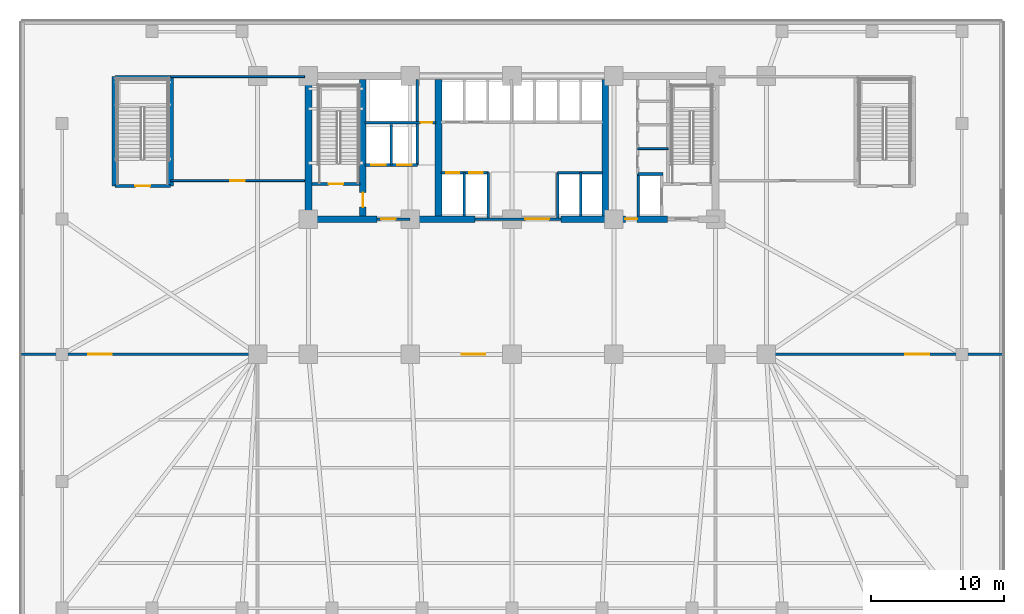
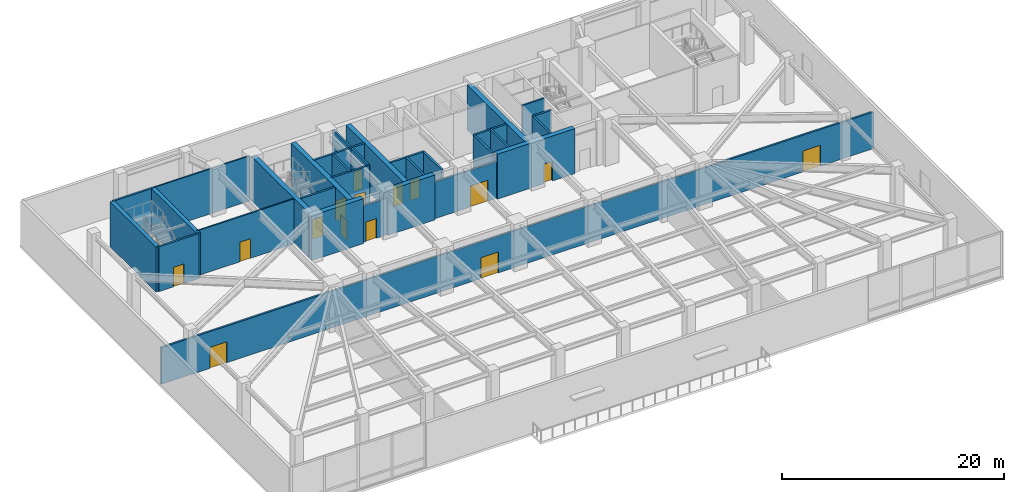
# One storey, part 8 of 15: 30 walls, 15 doors, 15 openings.
"""IFC4 building model written with IfcOpenShell, lengths in metres."""

from ifc_helpers import new_model, si_unit, direction, frame, frame_2d, origin, place, context, subcontext, project, spatial, rectangle, extrude, material, layer, layer_set, type_object, element, fill, save


model = new_model("IFC4")

# Units and contexts
model_context = context("Model", 3, precision=1e-05, world=origin(), true_north=direction((0.0, 1.0)))
body_context = subcontext(model_context, "Body", "Model", "MODEL_VIEW")
ifc_project = project(units=[si_unit("LENGTHUNIT", "METRE"), si_unit("AREAUNIT", "SQUARE_METRE"), si_unit("VOLUMEUNIT", "CUBIC_METRE"), si_unit("PLANEANGLEUNIT", "RADIAN"), si_unit("MASSUNIT", "GRAM", prefix="KILO")], contexts=[model_context])

# Site, building, storey
site_placement = place(None, origin())
site = spatial("IfcSite", under=ifc_project, at=site_placement, CompositionType="ELEMENT")
building_placement = place(site_placement, origin())
building = spatial("IfcBuilding", under=site, at=building_placement, Name="Yelkora Congress Tower", CompositionType="ELEMENT")
storey_placement = place(building_placement, frame((0.0, 0.0, 10.39990234375)))
storey = spatial("IfcBuildingStorey", under=building, at=storey_placement, Name="L02", CompositionType="ELEMENT", Elevation=10.39990234375)

# Walls
ifc_material_1 = material(Name="Concrete C50/60", Category="concrete")
ifc_layer_1 = layer(ifc_material_1, 0.39990234375)
ifc_layer_set_1 = layer_set([ifc_layer_1], Name="Concrete C50/60")
wall_type_1 = type_object("IfcWallType", Name="WALL-CORE-INT-400", PredefinedType="SHEAR", material=ifc_layer_set_1)
for number, where, z_axis, x_axis, name in (
    (1, (8.39990234375, 37.89990234375, 0.0), (0.0, 0.0, 1.0), (0.0, 1.0, 0.0), "L02 STP1 West Shear Wall"),
    (2, (12.659912109375, 37.89990234375, 0.0), (0.0, 0.0, 1.0), (0.0, 1.0, 0.0), "L02 STP1 East Shear Wall"),
):
    element("IfcWall", number, at=place(storey_placement, frame(where, z_axis=z_axis, x_axis=x_axis)), inside=storey, type_object=wall_type_1, Name=name, PredefinedType="SHEAR", context=body_context, shape_type="SweptSolid", body=[
        extrude(rectangle(XDim=8.25, YDim=0.39990234375, at=frame_2d((4.125, 0.0))), origin(), (0.0, 0.0, 1.0), 4.940185546875),
    ])
ifc_material_2 = material(Name="Concrete C60/75", Category="concrete")
ifc_layer_2 = layer(ifc_material_2, 0.5)
ifc_layer_set_2 = layer_set([ifc_layer_2], Name="Concrete C60/75")
wall_type_2 = type_object("IfcWallType", Name="WALL-CORE-INT-500", PredefinedType="SHEAR", material=ifc_layer_set_2)
wall_1_placement = place(storey_placement, frame((22.7900390625, 35.39990234375, 0.0), z_axis=(0.0, 0.0, 1.0), x_axis=(1.0, 0.0, 0.0)))
element("IfcWall", 3, at=wall_1_placement, inside=storey, type_object=wall_type_2, Name="L02 Rear Core South-West Shear Wall", PredefinedType="SHEAR", context=body_context, shape_type="SweptSolid", body=[
    extrude(rectangle(XDim=5.409912109375, YDim=0.5, at=frame_2d((2.705078125, 0.0))), origin(), (0.0, 0.0, 1.0), 4.940185546875),
])
wall_2_placement = place(storey_placement, frame((30.719970703125, 35.39990234375, 0.0), z_axis=(0.0, 0.0, 1.0), x_axis=(1.0, 0.0, 0.0)))
element("IfcWall", 4, at=wall_2_placement, inside=storey, type_object=wall_type_2, Name="L02 Rear Core South-Center Shear Pier", PredefinedType="SHEAR", context=body_context, shape_type="SweptSolid", body=[
    extrude(rectangle(XDim=4.880126953125, YDim=0.5, at=frame_2d((2.43994140625, 0.0))), origin(), (0.0, 0.0, 1.0), 4.940185546875),
])

# Wall, opening, door
wall_3_placement = place(storey_placement, frame((42.10009765625, 35.39990234375, 0.0), z_axis=(0.0, 0.0, 1.0), x_axis=(1.0, 0.0, 0.0)))
wall_3 = element("IfcWall", 5, at=wall_3_placement, inside=storey, type_object=wall_type_2, Name="L02 Rear Core South-East Shear Wall A", PredefinedType="SHEAR", context=body_context, shape_type="SweptSolid", body=[
    extrude(rectangle(XDim=8.0498046875, YDim=0.5, at=frame_2d((4.02490234375, 0.0))), origin(), (0.0, 0.0, 1.0), 4.940185546875),
])
opening_1_placement = place(wall_3_placement, frame((4.85009765625, 0.0, 0.0)))
opening_1 = element("IfcOpeningElement", 6, at=opening_1_placement, cuts=wall_3, Name="Opening DR-090F6", PredefinedType="OPENING", context=body_context, shape_type="SweptSolid", body=[
    extrude(rectangle(XDim=0.89990234375, YDim=2.14990234375, at=frame_2d((0.449951171875, 1.074951171875))), frame((0.0, 0.260009765625, 0.0), z_axis=(0.0, -1.0, 0.0), x_axis=(1.0, 0.0, 0.0)), (0.0, 0.0, 1.0), 0.52001953125),
])
ifc_material_3 = material(Name="Painted steel riser fire door leaf", Category="steel")
door_type_1 = type_object("IfcDoorType", Name="DOOR-FD60-900", OperationType="NOTDEFINED", PredefinedType="DOOR", material=ifc_material_3)
door_1_placement = place(opening_1_placement, origin())
door_1 = element("IfcDoor", 7, at=door_1_placement, inside=storey, type_object=door_type_1, Name="L02 Core Washroom Lobby Door", OperationType="SINGLE_SWING_RIGHT", OverallHeight=2.14990234375, OverallWidth=0.89990234375, PredefinedType="DOOR", context=body_context, shape_type="SweptSolid", body=[
    extrude(rectangle(XDim=0.89990234375, YDim=2.14990234375, at=frame_2d((0.449951171875, 1.074951171875))), frame((0.0, 0.02490234375, 0.0), z_axis=(0.0, -1.0, 0.0), x_axis=(1.0, 0.0, 0.0)), (0.0, 0.0, 1.0), 0.050048828125),
])
fill(opening_1, door_1)

# Wall
wall_4_placement = place(storey_placement, frame((23.0400390625, 35.64990234375, 0.0), z_axis=(0.0, 0.0, 1.0), x_axis=(0.0, 1.0, 0.0)))
element("IfcWall", 8, at=wall_4_placement, inside=storey, type_object=wall_type_2, Name="L02 Rear Core Cross Shear Wall W", PredefinedType="SHEAR", context=body_context, shape_type="SweptSolid", body=[
    extrude(rectangle(XDim=10.300048828125, YDim=0.5, at=frame_2d((5.14990234375, 0.0))), origin(), (0.0, 0.0, 1.0), 4.940185546875),
])

# Wall, opening, door
wall_5_placement = place(storey_placement, frame((27.14990234375, 35.64990234375, 0.0), z_axis=(0.0, 0.0, 1.0), x_axis=(0.0, 1.0, 0.0)))
wall_5 = element("IfcWall", 9, at=wall_5_placement, inside=storey, type_object=wall_type_2, Name="L02 Rear Core Cross Shear Wall C1", PredefinedType="SHEAR", context=body_context, shape_type="SweptSolid", body=[
    extrude(rectangle(XDim=10.300048828125, YDim=0.5, at=frame_2d((5.14990234375, 0.0))), origin(), (0.0, 0.0, 1.0), 4.940185546875),
])
opening_2_placement = place(wall_5_placement, frame((0.64990234375, 0.0, 0.0)))
opening_2 = element("IfcOpeningElement", 10, at=opening_2_placement, cuts=wall_5, Name="Opening DR-110F9", PredefinedType="OPENING", context=body_context, shape_type="SweptSolid", body=[
    extrude(rectangle(XDim=1.10009765625, YDim=2.14990234375, at=frame_2d((0.550048828125, 1.074951171875))), frame((0.0, 0.260009765625, 0.0), z_axis=(0.0, -1.0, 0.0), x_axis=(1.0, 0.0, 0.0)), (0.0, 0.0, 1.0), 0.52001953125),
])
ifc_material_4 = material(Name="Galvanised steel fire door leaf", Category="steel")
door_type_2 = type_object("IfcDoorType", Name="DOOR-FD90-1100", OperationType="NOTDEFINED", PredefinedType="DOOR", material=ifc_material_4)
door_2_placement = place(opening_2_placement, origin())
door_2 = element("IfcDoor", 11, at=door_2_placement, inside=storey, type_object=door_type_2, Name="L02 Firefighting Stair Transfer Door", OperationType="SINGLE_SWING_LEFT", OverallHeight=2.14990234375, OverallWidth=1.10009765625, PredefinedType="DOOR", context=body_context, shape_type="SweptSolid", body=[
    extrude(rectangle(XDim=1.10009765625, YDim=2.14990234375, at=frame_2d((0.550048828125, 1.074951171875))), frame((0.0, 0.02490234375, 0.0), z_axis=(0.0, -1.0, 0.0), x_axis=(1.0, 0.0, 0.0)), (0.0, 0.0, 1.0), 0.050048828125),
])
fill(opening_2, door_2)

# Walls
for number, where, z_axis, x_axis, name in (
    (12, (32.85009765625, 35.64990234375, 0.0), (0.0, 0.0, 1.0), (0.0, 1.0, 0.0), "L02 Rear Core Cross Shear Wall C2"),
    (13, (45.449951171875, 35.64990234375, 0.0), (0.0, 0.0, 1.0), (0.0, 1.0, 0.0), "L02 Rear Core Cross Shear Wall C3"),
):
    element("IfcWall", number, at=place(storey_placement, frame(where, z_axis=z_axis, x_axis=x_axis)), inside=storey, type_object=wall_type_2, Name=name, PredefinedType="SHEAR", context=body_context, shape_type="SweptSolid", body=[
        extrude(rectangle(XDim=10.300048828125, YDim=0.5, at=frame_2d((5.14990234375, 0.0))), origin(), (0.0, 0.0, 1.0), 4.940185546875),
    ])
ifc_material_5 = material(Name="Acoustic metal-stud gypsum partition", Category="gypsum")
ifc_layer_3 = layer(ifc_material_5, 0.14990234375)
ifc_layer_set_3 = layer_set([ifc_layer_3], Name="Acoustic metal-stud gypsum partition")
wall_type_3 = type_object("IfcWallType", Name="WALL-INT-150-NR", PredefinedType="PARTITIONING", material=ifc_layer_set_3)
wall_6_placement = place(storey_placement, frame((47.8798828125, 40.719970703125, 0.0), z_axis=(0.0, 0.0, 1.0), x_axis=(1.0, 0.0, 0.0)))
element("IfcWall", 14, at=wall_6_placement, inside=storey, type_object=wall_type_3, Name="L02 Partition Wall 28", PredefinedType="PARTITIONING", context=body_context, shape_type="SweptSolid", body=[
    extrude(rectangle(XDim=2.300048828125, YDim=0.14990234375, at=frame_2d((1.14990234375, 0.0))), origin(), (0.0, 0.0, 1.0), 4.940185546875),
])

# Wall, opening, door
wall_7_placement = place(storey_placement, frame((12.64990234375, 38.300048828125, 0.0), z_axis=(0.0, 0.0, 1.0), x_axis=(1.0, 0.0, 0.0)))
wall_7 = element("IfcWall", 15, at=wall_7_placement, inside=storey, type_object=wall_type_3, Name="L02 Partition Wall 36", PredefinedType="PARTITIONING", context=body_context, shape_type="SweptSolid", body=[
    extrude(rectangle(XDim=10.10009765625, YDim=0.14990234375, at=frame_2d((5.050048828125, 0.0))), origin(), (0.0, 0.0, 1.0), 4.940185546875),
])
opening_3_placement = place(wall_7_placement, frame((4.5, 0.0, 0.0)))
opening_3 = element("IfcOpeningElement", 16, at=opening_3_placement, cuts=wall_7, Name="Opening DR-110N", PredefinedType="OPENING", context=body_context, shape_type="SweptSolid", body=[
    extrude(rectangle(XDim=1.10009765625, YDim=2.14990234375, at=frame_2d((0.550048828125, 1.074951171875))), frame((0.0, 0.0849609375, 0.0), z_axis=(0.0, -1.0, 0.0), x_axis=(1.0, 0.0, 0.0)), (0.0, 0.0, 1.0), 0.169921875),
])
ifc_material_6 = material(Name="Solid-core Anatolian oak veneer door", Category="wood")
door_type_3 = type_object("IfcDoorType", Name="DOOR-INT-1100", OperationType="NOTDEFINED", PredefinedType="DOOR", material=ifc_material_6)
door_3_placement = place(opening_3_placement, origin())
door_3 = element("IfcDoor", 17, at=door_3_placement, inside=storey, type_object=door_type_3, Name="L02 Interior Door 20", OperationType="SINGLE_SWING_RIGHT", OverallHeight=2.14990234375, OverallWidth=1.10009765625, PredefinedType="DOOR", context=body_context, shape_type="SweptSolid", body=[
    extrude(rectangle(XDim=1.10009765625, YDim=2.14990234375, at=frame_2d((0.550048828125, 1.074951171875))), frame((0.0, 0.02490234375, 0.0), z_axis=(0.0, -1.0, 0.0), x_axis=(1.0, 0.0, 0.0)), (0.0, 0.0, 1.0), 0.050048828125),
])
fill(opening_3, door_3)

# Wall
wall_8_placement = place(storey_placement, frame((12.64990234375, 46.14990234375, 0.0), z_axis=(0.0, 0.0, 1.0), x_axis=(1.0, 0.0, 0.0)))
element("IfcWall", 18, at=wall_8_placement, inside=storey, type_object=wall_type_3, Name="L02 Partition Wall 37", PredefinedType="PARTITIONING", context=body_context, shape_type="SweptSolid", body=[
    extrude(rectangle(XDim=10.10009765625, YDim=0.14990234375, at=frame_2d((5.050048828125, 0.0))), origin(), (0.0, 0.0, 1.0), 4.940185546875),
])

# Wall, opening, door
ifc_material_7 = material(Name="Autoclaved aerated concrete blockwork", Category="masonry")
ifc_layer_4 = layer(ifc_material_7, 0.199951171875)
ifc_layer_set_4 = layer_set([ifc_layer_4], Name="Autoclaved aerated concrete blockwork")
wall_type_4 = type_object("IfcWallType", Name="WALL-INT-200-R120", PredefinedType="PARTITIONING", material=ifc_layer_set_4)
wall_9_placement = place(storey_placement, frame((23.300048828125, 38.050048828125, 0.0), z_axis=(0.0, 0.0, 1.0), x_axis=(1.0, 0.0, 0.0)))
wall_9 = element("IfcWall", 19, at=wall_9_placement, inside=storey, type_object=wall_type_4, Name="L02 Stair ST-01 Enclosure Wall", PredefinedType="PARTITIONING", context=body_context, shape_type="SweptSolid", body=[
    extrude(rectangle(XDim=3.619873046875, YDim=0.199951171875, at=frame_2d((1.81005859375, 0.0))), origin(), (0.0, 0.0, 1.0), 4.940185546875),
])
opening_4_placement = place(wall_9_placement, frame((1.260009765625, 0.0, 0.0)))
opening_4 = element("IfcOpeningElement", 20, at=opening_4_placement, cuts=wall_9, Name="Opening DR-110F9", PredefinedType="OPENING", context=body_context, shape_type="SweptSolid", body=[
    extrude(rectangle(XDim=1.10009765625, YDim=2.14990234375, at=frame_2d((0.550048828125, 1.074951171875))), frame((0.0, 0.10986328125, 0.0), z_axis=(0.0, -1.0, 0.0), x_axis=(1.0, 0.0, 0.0)), (0.0, 0.0, 1.0), 0.219970703125),
])
door_4_placement = place(opening_4_placement, origin())
door_4 = element("IfcDoor", 21, at=door_4_placement, inside=storey, type_object=door_type_2, Name="L02 Stair ST-01 Entry Door", OperationType="SINGLE_SWING_LEFT", OverallHeight=2.14990234375, OverallWidth=1.10009765625, PredefinedType="DOOR", context=body_context, shape_type="SweptSolid", body=[
    extrude(rectangle(XDim=1.10009765625, YDim=2.14990234375, at=frame_2d((0.550048828125, 1.074951171875))), frame((0.0, 0.02490234375, 0.0), z_axis=(0.0, -1.0, 0.0), x_axis=(1.0, 0.0, 0.0)), (0.0, 0.0, 1.0), 0.050048828125),
])
fill(opening_4, door_4)

wall_10_placement = place(storey_placement, frame((28.219970703125, 35.39990234375, 0.0), z_axis=(0.0, 0.0, 1.0), x_axis=(1.0, 0.0, 0.0)))
wall_10 = element("IfcWall", 22, at=wall_10_placement, inside=storey, type_object=wall_type_4, Name="L02 Firefighting Lobby South Wall", PredefinedType="PARTITIONING", context=body_context, shape_type="SweptSolid", body=[
    extrude(rectangle(XDim=2.5, YDim=0.199951171875, at=frame_2d((1.25, 0.0))), origin(), (0.0, 0.0, 1.0), 4.03515625),
])
opening_5_placement = place(wall_10_placement, frame((0.300048828125, 0.0, 0.0)))
opening_5 = element("IfcOpeningElement", 23, at=opening_5_placement, cuts=wall_10, Name="Opening DR-110F9", PredefinedType="OPENING", context=body_context, shape_type="SweptSolid", body=[
    extrude(rectangle(XDim=1.10009765625, YDim=2.14990234375, at=frame_2d((0.550048828125, 1.074951171875))), frame((0.0, 0.10986328125, 0.0), z_axis=(0.0, -1.0, 0.0), x_axis=(1.0, 0.0, 0.0)), (0.0, 0.0, 1.0), 0.219970703125),
])
door_5_placement = place(opening_5_placement, origin())
door_5 = element("IfcDoor", 24, at=door_5_placement, inside=storey, type_object=door_type_2, Name="L02 Firefighting Lobby Corridor Door", OperationType="SINGLE_SWING_RIGHT", OverallHeight=2.14990234375, OverallWidth=1.10009765625, PredefinedType="DOOR", context=body_context, shape_type="SweptSolid", body=[
    extrude(rectangle(XDim=1.10009765625, YDim=2.14990234375, at=frame_2d((0.550048828125, 1.074951171875))), frame((0.0, 0.02490234375, 0.0), z_axis=(0.0, -1.0, 0.0), x_axis=(1.0, 0.0, 0.0)), (0.0, 0.0, 1.0), 0.050048828125),
])
fill(opening_5, door_5)

# Wall, openings, doors
wall_11_placement = place(storey_placement, frame((27.320068359375, 39.47998046875, 0.0), z_axis=(0.0, 0.0, 1.0), x_axis=(1.0, 0.0, 0.0)))
wall_11 = element("IfcWall", 25, at=wall_11_placement, inside=storey, type_object=wall_type_4, Name="L02 Firefighting Lift Front Wall", PredefinedType="PARTITIONING", context=body_context, shape_type="SweptSolid", body=[
    extrude(rectangle(XDim=3.93994140625, YDim=0.199951171875, at=frame_2d((1.969970703125, 0.0))), origin(), (0.0, 0.0, 1.0), 4.940185546875),
])
opening_6_placement = place(wall_11_placement, frame((0.449951171875, 0.0, 0.0)))
opening_6 = element("IfcOpeningElement", 26, at=opening_6_placement, cuts=wall_11, Name="Opening LD-FF11", PredefinedType="OPENING", context=body_context, shape_type="SweptSolid", body=[
    extrude(rectangle(XDim=1.10009765625, YDim=2.199951171875, at=frame_2d((0.550048828125, 1.10009765625))), frame((0.0, 0.10986328125, 0.0), z_axis=(0.0, -1.0, 0.0), x_axis=(1.0, 0.0, 0.0)), (0.0, 0.0, 1.0), 0.219970703125),
])
opening_7_placement = place(wall_11_placement, frame((2.409912109375, 0.0, 0.0)))
opening_7 = element("IfcOpeningElement", 27, at=opening_7_placement, cuts=wall_11, Name="Opening LD-FF11", PredefinedType="OPENING", context=body_context, shape_type="SweptSolid", body=[
    extrude(rectangle(XDim=1.10009765625, YDim=2.199951171875, at=frame_2d((0.550048828125, 1.10009765625))), frame((0.0, 0.10986328125, 0.0), z_axis=(0.0, -1.0, 0.0), x_axis=(1.0, 0.0, 0.0)), (0.0, 0.0, 1.0), 0.219970703125),
])
ifc_material_8 = material(Name="Brushed stainless steel 316L landing door", Category="steel")
door_type_4 = type_object("IfcDoorType", Name="DOOR-LIFT-FF-1100", OperationType="DOUBLE_DOOR_SLIDING", PredefinedType="DOOR", material=ifc_material_8)
door_6_placement = place(opening_6_placement, origin())
door_6 = element("IfcDoor", 28, at=door_6_placement, inside=storey, type_object=door_type_4, Name="Lift Landing Door LF-FF1 L02", OperationType="DOUBLE_DOOR_SLIDING", OverallHeight=2.199951171875, OverallWidth=1.10009765625, PredefinedType="DOOR", context=body_context, shape_type="SweptSolid", body=[
    extrude(rectangle(XDim=1.10009765625, YDim=2.199951171875, at=frame_2d((0.550048828125, 1.10009765625))), frame((0.0, 0.02490234375, 0.0), z_axis=(0.0, -1.0, 0.0), x_axis=(1.0, 0.0, 0.0)), (0.0, 0.0, 1.0), 0.050048828125),
])
fill(opening_6, door_6)
door_7_placement = place(opening_7_placement, origin())
door_7 = element("IfcDoor", 29, at=door_7_placement, inside=storey, type_object=door_type_4, Name="Lift Landing Door LF-FF2 L02", OperationType="DOUBLE_DOOR_SLIDING", OverallHeight=2.199951171875, OverallWidth=1.10009765625, PredefinedType="DOOR", context=body_context, shape_type="SweptSolid", body=[
    extrude(rectangle(XDim=1.10009765625, YDim=2.199951171875, at=frame_2d((0.550048828125, 1.10009765625))), frame((0.0, 0.02490234375, 0.0), z_axis=(0.0, -1.0, 0.0), x_axis=(1.0, 0.0, 0.0)), (0.0, 0.0, 1.0), 0.050048828125),
])
fill(opening_7, door_7)

# Walls
wall_12_placement = place(storey_placement, frame((29.300048828125, 39.47998046875, 0.0), z_axis=(0.0, 0.0, 1.0), x_axis=(0.0, 1.0, 0.0)))
element("IfcWall", 30, at=wall_12_placement, inside=storey, type_object=wall_type_4, Name="L02 Partition Wall 4", PredefinedType="PARTITIONING", context=body_context, shape_type="SweptSolid", body=[
    extrude(rectangle(XDim=3.070068359375, YDim=0.199951171875, at=frame_2d((1.53515625, 0.0))), origin(), (0.0, 0.0, 1.0), 4.940185546875),
])
wall_13_placement = place(storey_placement, frame((31.260009765625, 39.47998046875, 0.0), z_axis=(0.0, 0.0, 1.0), x_axis=(0.0, 1.0, 0.0)))
element("IfcWall", 31, at=wall_13_placement, inside=storey, type_object=wall_type_4, Name="L02 Partition Wall 5", PredefinedType="PARTITIONING", context=body_context, shape_type="SweptSolid", body=[
    extrude(rectangle(XDim=6.43994140625, YDim=0.199951171875, at=frame_2d((3.219970703125, 0.0))), origin(), (0.0, 0.0, 1.0), 4.940185546875),
])

# Wall, opening, door
wall_14_placement = place(storey_placement, frame((27.320068359375, 42.679931640625, 0.0), z_axis=(0.0, 0.0, 1.0), x_axis=(1.0, 0.0, 0.0)))
wall_14 = element("IfcWall", 32, at=wall_14_placement, inside=storey, type_object=wall_type_4, Name="L02 Smoke Riser South Wall", PredefinedType="PARTITIONING", context=body_context, shape_type="SweptSolid", body=[
    extrude(rectangle(XDim=5.329833984375, YDim=0.199951171875, at=frame_2d((2.6650390625, 0.0))), origin(), (0.0, 0.0, 1.0), 4.940185546875),
])
opening_8_placement = place(wall_14_placement, frame((4.179931640625, 0.0, 0.0)))
opening_8 = element("IfcOpeningElement", 33, at=opening_8_placement, cuts=wall_14, Name="Opening DR-090F6", PredefinedType="OPENING", context=body_context, shape_type="SweptSolid", body=[
    extrude(rectangle(XDim=0.89990234375, YDim=2.14990234375, at=frame_2d((0.449951171875, 1.074951171875))), frame((0.0, 0.10986328125, 0.0), z_axis=(0.0, -1.0, 0.0), x_axis=(1.0, 0.0, 0.0)), (0.0, 0.0, 1.0), 0.219970703125),
])
door_8_placement = place(opening_8_placement, origin())
door_8 = element("IfcDoor", 34, at=door_8_placement, inside=storey, type_object=door_type_1, Name="L02 Riser Access Door", OperationType="SINGLE_SWING_LEFT", OverallHeight=2.14990234375, OverallWidth=0.89990234375, PredefinedType="DOOR", context=body_context, shape_type="SweptSolid", body=[
    extrude(rectangle(XDim=0.89990234375, YDim=2.14990234375, at=frame_2d((0.449951171875, 1.074951171875))), frame((0.0, 0.02490234375, 0.0), z_axis=(0.0, -1.0, 0.0), x_axis=(1.0, 0.0, 0.0)), (0.0, 0.0, 1.0), 0.050048828125),
])
fill(opening_8, door_8)

wall_15_placement = place(storey_placement, frame((35.60009765625, 35.39990234375, 0.0), z_axis=(0.0, 0.0, 1.0), x_axis=(1.0, 0.0, 0.0)))
wall_15 = element("IfcWall", 35, at=wall_15_placement, inside=storey, type_object=wall_type_4, Name="L02 Main Lift Lobby South Portal Wall", PredefinedType="PARTITIONING", context=body_context, shape_type="SweptSolid", body=[
    extrude(rectangle(XDim=6.5, YDim=0.199951171875, at=frame_2d((3.25, 0.0))), origin(), (0.0, 0.0, 1.0), 4.03515625),
])
opening_9_placement = place(wall_15_placement, frame((3.800048828125, 0.0, 0.0)))
opening_9 = element("IfcOpeningElement", 36, at=opening_9_placement, cuts=wall_15, Name="Opening DR-180D", PredefinedType="OPENING", context=body_context, shape_type="SweptSolid", body=[
    extrude(rectangle(XDim=1.800048828125, YDim=2.300048828125, at=frame_2d((0.89990234375, 1.14990234375))), frame((0.0, 0.10986328125, 0.0), z_axis=(0.0, -1.0, 0.0), x_axis=(1.0, 0.0, 0.0)), (0.0, 0.0, 1.0), 0.219970703125),
])
ifc_material_9 = material(Name="Acoustic double congress hall doors", Category="wood")
door_type_5 = type_object("IfcDoorType", Name="DOOR-DBL-1800", OperationType="DOUBLE_DOOR_SINGLE_SWING", PredefinedType="DOOR", material=ifc_material_9)
door_9_placement = place(opening_9_placement, origin())
door_9 = element("IfcDoor", 37, at=door_9_placement, inside=storey, type_object=door_type_5, Name="L02 Main Lift Lobby Portal Door", OperationType="DOUBLE_DOOR_SINGLE_SWING", OverallHeight=2.300048828125, OverallWidth=1.800048828125, PredefinedType="DOOR", context=body_context, shape_type="SweptSolid", body=[
    extrude(rectangle(XDim=1.800048828125, YDim=2.300048828125, at=frame_2d((0.89990234375, 1.14990234375))), frame((0.0, 0.02490234375, 0.0), z_axis=(0.0, -1.0, 0.0), x_axis=(1.0, 0.0, 0.0)), (0.0, 0.0, 1.0), 0.050048828125),
])
fill(opening_9, door_9)

# Wall, openings, doors
wall_16_placement = place(storey_placement, frame((33.050048828125, 38.89990234375, 0.0), z_axis=(0.0, 0.0, 1.0), x_axis=(1.0, 0.0, 0.0)))
wall_16 = element("IfcWall", 38, at=wall_16_placement, inside=storey, type_object=wall_type_4, Name="L02 Partition Wall 11", PredefinedType="PARTITIONING", context=body_context, shape_type="SweptSolid", body=[
    extrude(rectangle(XDim=3.570068359375, YDim=0.199951171875, at=frame_2d((1.78515625, 0.0))), origin(), (0.0, 0.0, 1.0), 4.940185546875),
])
opening_10_placement = place(wall_16_placement, frame((0.375, 0.0, 0.0)))
opening_10 = element("IfcOpeningElement", 39, at=opening_10_placement, cuts=wall_16, Name="Opening LD-PS10", PredefinedType="OPENING", context=body_context, shape_type="SweptSolid", body=[
    extrude(rectangle(XDim=1.0, YDim=2.199951171875, at=frame_2d((0.5, 1.10009765625))), frame((0.0, 0.10986328125, 0.0), z_axis=(0.0, -1.0, 0.0), x_axis=(1.0, 0.0, 0.0)), (0.0, 0.0, 1.0), 0.219970703125),
])
opening_11_placement = place(wall_16_placement, frame((2.125, 0.0, 0.0)))
opening_11 = element("IfcOpeningElement", 40, at=opening_11_placement, cuts=wall_16, Name="Opening LD-PS10", PredefinedType="OPENING", context=body_context, shape_type="SweptSolid", body=[
    extrude(rectangle(XDim=1.0, YDim=2.199951171875, at=frame_2d((0.5, 1.10009765625))), frame((0.0, 0.10986328125, 0.0), z_axis=(0.0, -1.0, 0.0), x_axis=(1.0, 0.0, 0.0)), (0.0, 0.0, 1.0), 0.219970703125),
])
ifc_material_10 = material(Name="Champagne stainless steel landing door", Category="steel")
door_type_6 = type_object("IfcDoorType", Name="DOOR-LIFT-PAS-1000", OperationType="DOUBLE_DOOR_SLIDING", PredefinedType="DOOR", material=ifc_material_10)
door_10_placement = place(opening_10_placement, origin())
door_10 = element("IfcDoor", 41, at=door_10_placement, inside=storey, type_object=door_type_6, Name="Lift Landing Door LF-P1 L02", OperationType="DOUBLE_DOOR_SLIDING", OverallHeight=2.199951171875, OverallWidth=1.0, PredefinedType="DOOR", context=body_context, shape_type="SweptSolid", body=[
    extrude(rectangle(XDim=1.0, YDim=2.199951171875, at=frame_2d((0.5, 1.10009765625))), frame((0.0, 0.02490234375, 0.0), z_axis=(0.0, -1.0, 0.0), x_axis=(1.0, 0.0, 0.0)), (0.0, 0.0, 1.0), 0.050048828125),
])
fill(opening_10, door_10)
door_11_placement = place(opening_11_placement, origin())
door_11 = element("IfcDoor", 42, at=door_11_placement, inside=storey, type_object=door_type_6, Name="Lift Landing Door LF-P2 L02", OperationType="DOUBLE_DOOR_SLIDING", OverallHeight=2.199951171875, OverallWidth=1.0, PredefinedType="DOOR", context=body_context, shape_type="SweptSolid", body=[
    extrude(rectangle(XDim=1.0, YDim=2.199951171875, at=frame_2d((0.5, 1.10009765625))), frame((0.0, 0.02490234375, 0.0), z_axis=(0.0, -1.0, 0.0), x_axis=(1.0, 0.0, 0.0)), (0.0, 0.0, 1.0), 0.050048828125),
])
fill(opening_11, door_11)

# Walls
wall_17_placement = place(storey_placement, frame((34.800048828125, 35.64990234375, 0.0), z_axis=(0.0, 0.0, 1.0), x_axis=(0.0, 1.0, 0.0)))
element("IfcWall", 43, at=wall_17_placement, inside=storey, type_object=wall_type_4, Name="L02 Partition Wall 13", PredefinedType="PARTITIONING", context=body_context, shape_type="SweptSolid", body=[
    extrude(rectangle(XDim=3.25, YDim=0.199951171875, at=frame_2d((1.625, 0.0))), origin(), (0.0, 0.0, 1.0), 4.940185546875),
])
wall_18_placement = place(storey_placement, frame((36.6201171875, 35.5, 0.0), z_axis=(0.0, 0.0, 1.0), x_axis=(0.0, 1.0, 0.0)))
element("IfcWall", 44, at=wall_18_placement, inside=storey, type_object=wall_type_4, Name="L02 Partition Wall 15", PredefinedType="PARTITIONING", context=body_context, shape_type="SweptSolid", body=[
    extrude(rectangle(XDim=3.39990234375, YDim=0.199951171875, at=frame_2d((1.699951171875, 0.0))), origin(), (0.0, 0.0, 1.0), 4.940185546875),
])
wall_19_placement = place(storey_placement, frame((41.85009765625, 38.89990234375, 0.0), z_axis=(0.0, 0.0, 1.0), x_axis=(1.0, 0.0, 0.0)))
element("IfcWall", 45, at=wall_19_placement, inside=storey, type_object=wall_type_4, Name="L02 Partition Wall 17", PredefinedType="PARTITIONING", context=body_context, shape_type="SweptSolid", body=[
    extrude(rectangle(XDim=3.369873046875, YDim=0.199951171875, at=frame_2d((1.68505859375, 0.0))), origin(), (0.0, 0.0, 1.0), 4.940185546875),
])
wall_20_placement = place(storey_placement, frame((43.60009765625, 35.64990234375, 0.0), z_axis=(0.0, 0.0, 1.0), x_axis=(0.0, 1.0, 0.0)))
element("IfcWall", 46, at=wall_20_placement, inside=storey, type_object=wall_type_4, Name="L02 Partition Wall 19", PredefinedType="PARTITIONING", context=body_context, shape_type="SweptSolid", body=[
    extrude(rectangle(XDim=3.25, YDim=0.199951171875, at=frame_2d((1.625, 0.0))), origin(), (0.0, 0.0, 1.0), 4.940185546875),
])
wall_21_placement = place(storey_placement, frame((41.85009765625, 35.5, 0.0), z_axis=(0.0, 0.0, 1.0), x_axis=(0.0, 1.0, 0.0)))
element("IfcWall", 47, at=wall_21_placement, inside=storey, type_object=wall_type_4, Name="L02 Partition Wall 21", PredefinedType="PARTITIONING", context=body_context, shape_type="SweptSolid", body=[
    extrude(rectangle(XDim=3.39990234375, YDim=0.199951171875, at=frame_2d((1.699951171875, 0.0))), origin(), (0.0, 0.0, 1.0), 4.940185546875),
])
wall_22_placement = place(storey_placement, frame((47.919921875, 35.64990234375, 0.0), z_axis=(0.0, 0.0, 1.0), x_axis=(0.0, 1.0, 0.0)))
element("IfcWall", 48, at=wall_22_placement, inside=storey, type_object=wall_type_4, Name="L02 Partition Wall 26", PredefinedType="PARTITIONING", context=body_context, shape_type="SweptSolid", body=[
    extrude(rectangle(XDim=3.150146484375, YDim=0.199951171875, at=frame_2d((1.5751953125, 0.0))), origin(), (0.0, 0.0, 1.0), 4.940185546875),
])
wall_23_placement = place(storey_placement, frame((47.919921875, 38.800048828125, 0.0), z_axis=(0.0, 0.0, 1.0), x_axis=(1.0, 0.0, 0.0)))
element("IfcWall", 49, at=wall_23_placement, inside=storey, type_object=wall_type_4, Name="L02 Partition Wall 27", PredefinedType="PARTITIONING", context=body_context, shape_type="SweptSolid", body=[
    extrude(rectangle(XDim=1.860107421875, YDim=0.199951171875, at=frame_2d((0.93017578125, 0.0))), origin(), (0.0, 0.0, 1.0), 4.940185546875),
])

# Wall, opening, door
wall_24_placement = place(storey_placement, frame((8.449951171875, 37.89990234375, 0.0), z_axis=(0.0, 0.0, 1.0), x_axis=(1.0, 0.0, 0.0)))
wall_24 = element("IfcWall", 50, at=wall_24_placement, inside=storey, type_object=wall_type_4, Name="L02 Partition Wall 32", PredefinedType="PARTITIONING", context=body_context, shape_type="SweptSolid", body=[
    extrude(rectangle(XDim=4.170166015625, YDim=0.199951171875, at=frame_2d((2.0849609375, 0.0))), origin(), (0.0, 0.0, 1.0), 4.940185546875),
])
opening_12_placement = place(wall_24_placement, frame((1.534912109375, 0.0, 0.0)))
opening_12 = element("IfcOpeningElement", 51, at=opening_12_placement, cuts=wall_24, Name="Opening DR-110F9", PredefinedType="OPENING", context=body_context, shape_type="SweptSolid", body=[
    extrude(rectangle(XDim=1.10009765625, YDim=2.14990234375, at=frame_2d((0.550048828125, 1.074951171875))), frame((0.0, 0.10986328125, 0.0), z_axis=(0.0, -1.0, 0.0), x_axis=(1.0, 0.0, 0.0)), (0.0, 0.0, 1.0), 0.219970703125),
])
door_12_placement = place(opening_12_placement, origin())
door_12 = element("IfcDoor", 52, at=door_12_placement, inside=storey, type_object=door_type_2, Name="L02 ST-P1 Door", OperationType="SINGLE_SWING_RIGHT", OverallHeight=2.14990234375, OverallWidth=1.10009765625, PredefinedType="DOOR", context=body_context, shape_type="SweptSolid", body=[
    extrude(rectangle(XDim=1.10009765625, YDim=2.14990234375, at=frame_2d((0.550048828125, 1.074951171875))), frame((0.0, 0.02490234375, 0.0), z_axis=(0.0, -1.0, 0.0), x_axis=(1.0, 0.0, 0.0)), (0.0, 0.0, 1.0), 0.050048828125),
])
fill(opening_12, door_12)

# Wall
wall_25_placement = place(storey_placement, frame((8.449951171875, 46.14990234375, 0.0), z_axis=(0.0, 0.0, 1.0), x_axis=(1.0, 0.0, 0.0)))
element("IfcWall", 53, at=wall_25_placement, inside=storey, type_object=wall_type_4, Name="L02 Partition Wall 33", PredefinedType="PARTITIONING", context=body_context, shape_type="SweptSolid", body=[
    extrude(rectangle(XDim=4.170166015625, YDim=0.199951171875, at=frame_2d((2.0849609375, 0.0))), origin(), (0.0, 0.0, 1.0), 4.940185546875),
])

# Wall, openings, doors
ifc_material_11 = material(Name="Autoclaved high-density acoustic blockwork", Category="masonry")
ifc_layer_5 = layer(ifc_material_11, 0.199951171875)
ifc_layer_set_5 = layer_set([ifc_layer_5], Name="Autoclaved high-density acoustic blockwork")
wall_type_5 = type_object("IfcWallType", Name="WALL-INT-200-R90", PredefinedType="PARTITIONING", material=ifc_layer_set_5)
wall_26_placement = place(storey_placement, frame((1.3798828125, 25.199951171875, 0.0), z_axis=(0.0, 0.0, 1.0), x_axis=(1.0, 0.0, 0.0)))
wall_26 = element("IfcWall", 54, at=wall_26_placement, inside=storey, type_object=wall_type_5, Name="L02 Hall Spine Wall Grid D", PredefinedType="PARTITIONING", context=body_context, shape_type="SweptSolid", body=[
    extrude(rectangle(XDim=74.0400390625, YDim=0.199951171875, at=frame_2d((37.02001953125, 0.0))), origin(), (0.0, 0.0, 1.0), 4.03515625),
])
opening_13_placement = place(wall_26_placement, frame((5.034423828125, 0.0, 0.0)))
opening_13 = element("IfcOpeningElement", 55, at=opening_13_placement, cuts=wall_26, Name="Opening DR-180D", PredefinedType="OPENING", context=body_context, shape_type="SweptSolid", body=[
    extrude(rectangle(XDim=1.800048828125, YDim=2.300048828125, at=frame_2d((0.89990234375, 1.14990234375))), frame((0.0, 0.10986328125, 0.0), z_axis=(0.0, -1.0, 0.0), x_axis=(1.0, 0.0, 0.0)), (0.0, 0.0, 1.0), 0.219970703125),
])
opening_14_placement = place(wall_26_placement, frame((33.216796875, 0.0, 0.0)))
opening_14 = element("IfcOpeningElement", 56, at=opening_14_placement, cuts=wall_26, Name="Opening DR-180D", PredefinedType="OPENING", context=body_context, shape_type="SweptSolid", body=[
    extrude(rectangle(XDim=1.800048828125, YDim=2.300048828125, at=frame_2d((0.89990234375, 1.14990234375))), frame((0.0, 0.10986328125, 0.0), z_axis=(0.0, -1.0, 0.0), x_axis=(1.0, 0.0, 0.0)), (0.0, 0.0, 1.0), 0.219970703125),
])
opening_15_placement = place(wall_26_placement, frame((66.695068359375, 0.0, 0.0)))
opening_15 = element("IfcOpeningElement", 57, at=opening_15_placement, cuts=wall_26, Name="Opening DR-180D", PredefinedType="OPENING", context=body_context, shape_type="SweptSolid", body=[
    extrude(rectangle(XDim=1.800048828125, YDim=2.300048828125, at=frame_2d((0.89990234375, 1.14990234375))), frame((0.0, 0.10986328125, 0.0), z_axis=(0.0, -1.0, 0.0), x_axis=(1.0, 0.0, 0.0)), (0.0, 0.0, 1.0), 0.219970703125),
])
door_13_placement = place(opening_13_placement, origin())
door_13 = element("IfcDoor", 58, at=door_13_placement, inside=storey, type_object=door_type_5, Name="L02 Committee Room 201 Entrance Door", OperationType="DOUBLE_DOOR_SINGLE_SWING", OverallHeight=2.300048828125, OverallWidth=1.800048828125, PredefinedType="DOOR", context=body_context, shape_type="SweptSolid", body=[
    extrude(rectangle(XDim=1.800048828125, YDim=2.300048828125, at=frame_2d((0.89990234375, 1.14990234375))), frame((0.0, 0.02490234375, 0.0), z_axis=(0.0, -1.0, 0.0), x_axis=(1.0, 0.0, 0.0)), (0.0, 0.0, 1.0), 0.050048828125),
])
fill(opening_13, door_13)
door_14_placement = place(opening_14_placement, origin())
door_14 = element("IfcDoor", 59, at=door_14_placement, inside=storey, type_object=door_type_5, Name="L02 Plenary Congress Auditorium Entrance Door", OperationType="DOUBLE_DOOR_SINGLE_SWING", OverallHeight=2.300048828125, OverallWidth=1.800048828125, PredefinedType="DOOR", context=body_context, shape_type="SweptSolid", body=[
    extrude(rectangle(XDim=1.800048828125, YDim=2.300048828125, at=frame_2d((0.89990234375, 1.14990234375))), frame((0.0, 0.02490234375, 0.0), z_axis=(0.0, -1.0, 0.0), x_axis=(1.0, 0.0, 0.0)), (0.0, 0.0, 1.0), 0.050048828125),
])
fill(opening_14, door_14)
door_15_placement = place(opening_15_placement, origin())
door_15 = element("IfcDoor", 60, at=door_15_placement, inside=storey, type_object=door_type_5, Name="L02 Simultaneous Briefing Hall Entrance Door", OperationType="DOUBLE_DOOR_SINGLE_SWING", OverallHeight=2.300048828125, OverallWidth=1.800048828125, PredefinedType="DOOR", context=body_context, shape_type="SweptSolid", body=[
    extrude(rectangle(XDim=1.800048828125, YDim=2.300048828125, at=frame_2d((0.89990234375, 1.14990234375))), frame((0.0, 0.02490234375, 0.0), z_axis=(0.0, -1.0, 0.0), x_axis=(1.0, 0.0, 0.0)), (0.0, 0.0, 1.0), 0.050048828125),
])
fill(opening_15, door_15)

save(model, "model.ifc")
